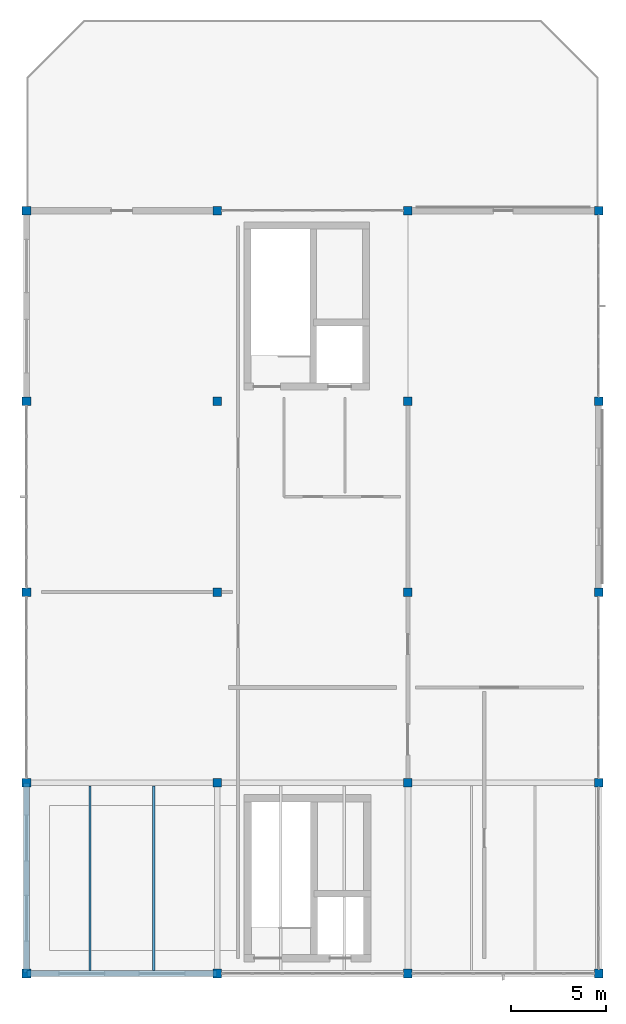
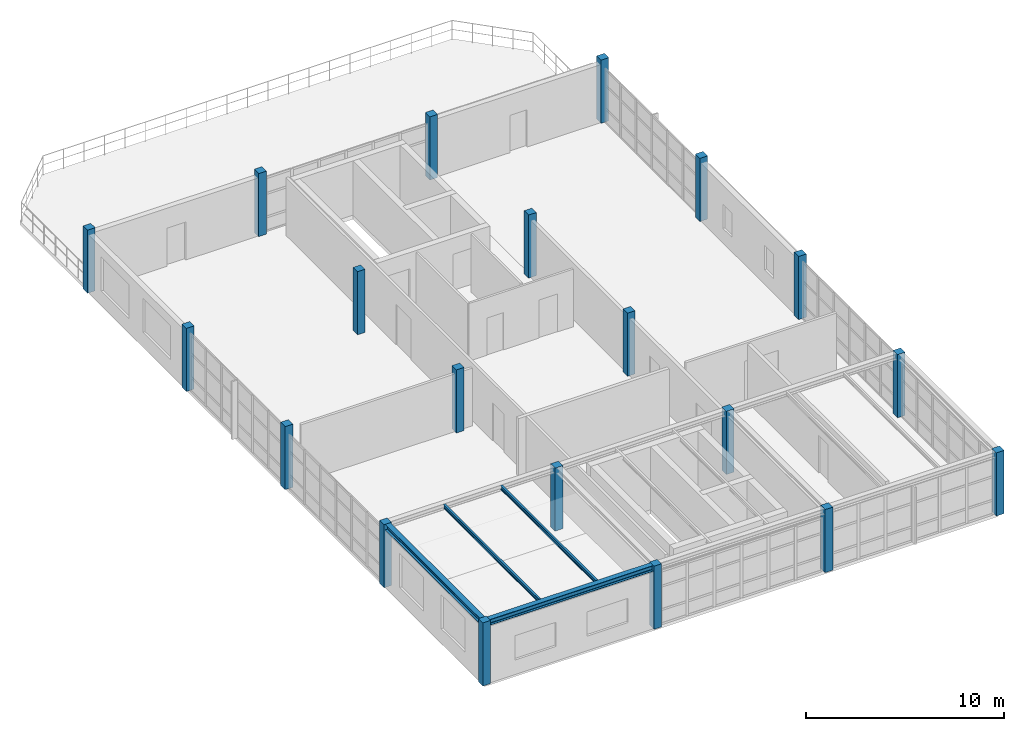
# One storey, part 1 of 11: 20 columns, 4 beams.
"""IFC4 building model written with IfcOpenShell, lengths in metres."""

from ifc_helpers import new_model, si_unit, direction, frame, origin, origin_2d, place, context, subcontext, project, spatial, rectangle, i_section, extrude, material, material_profile, profile_set, type_object, element, save


model = new_model("IFC4")

# Units and contexts
model_context = context("Model", 3, precision=1e-05, world=origin(), true_north=direction((0.0, 1.0)))
body_context = subcontext(model_context, "Body", "Model", "MODEL_VIEW")
ifc_project = project(units=[si_unit("LENGTHUNIT", "METRE"), si_unit("AREAUNIT", "SQUARE_METRE"), si_unit("VOLUMEUNIT", "CUBIC_METRE"), si_unit("PLANEANGLEUNIT", "RADIAN"), si_unit("MASSUNIT", "GRAM", prefix="KILO"), si_unit("THERMODYNAMICTEMPERATUREUNIT", "KELVIN"), si_unit("POWERUNIT", "WATT")], contexts=[model_context])

# Site, building, storey
site_placement = place(None, origin())
site = spatial("IfcSite", under=ifc_project, at=site_placement, CompositionType="ELEMENT")
building_placement = place(site_placement, origin())
building = spatial("IfcBuilding", under=site, at=building_placement, Name="Korenveer Ferry Terminal", CompositionType="ELEMENT")
storey_placement = place(building_placement, frame((0.0, 0.0, 18.300048828125)))
storey = spatial("IfcBuildingStorey", under=building, at=storey_placement, Name="L04", CompositionType="ELEMENT", Elevation=18.300048828125)

# Columns
ifc_material_1 = material(Name="Concrete C45/55", Category="concrete")
ifc_material_profile_1 = material_profile(ifc_material_1, rectangle(XDim=0.449951171875, YDim=0.449951171875, at=origin_2d()), Name="RC 450x450")
ifc_profile_set_1 = profile_set([ifc_material_profile_1], Name="Concrete C45/55")
column_type = type_object("IfcColumnType", Name="STR-COL-RC450", PredefinedType="COLUMN", material=ifc_profile_set_1)
for number, where, z_axis, x_axis, name in (
    (1, (0.0, 20.0, 0.0), (0.0, 0.0, 1.0), (1.0, 0.0, 0.0), "Column COL-L04-X0-Y20"),
    (2, (0.0, 30.0, 0.0), (0.0, 0.0, 1.0), (1.0, 0.0, 0.0), "Column COL-L04-X0-Y30"),
    (3, (0.0, 40.0, 0.0), (0.0, 0.0, 1.0), (1.0, 0.0, 0.0), "Column COL-L04-X0-Y40"),
    (4, (0.0, 50.0, 0.0), (0.0, 0.0, 1.0), (1.0, 0.0, 0.0), "Column COL-L04-X0-Y50"),
    (5, (0.0, 60.0, 0.0), (0.0, 0.0, 1.0), (1.0, 0.0, 0.0), "Column COL-L04-X0-Y60"),
    (6, (10.0, 20.0, 0.0), (0.0, 0.0, 1.0), (1.0, 0.0, 0.0), "Column COL-L04-X10-Y20"),
    (7, (10.0, 30.0, 0.0), (0.0, 0.0, 1.0), (1.0, 0.0, 0.0), "Column COL-L04-X10-Y30"),
    (8, (10.0, 40.0, 0.0), (0.0, 0.0, 1.0), (1.0, 0.0, 0.0), "Column COL-L04-X10-Y40"),
    (9, (10.0, 50.0, 0.0), (0.0, 0.0, 1.0), (1.0, 0.0, 0.0), "Column COL-L04-X10-Y50"),
    (10, (10.0, 60.0, 0.0), (0.0, 0.0, 1.0), (1.0, 0.0, 0.0), "Column COL-L04-X10-Y60"),
    (11, (20.0, 20.0, 0.0), (0.0, 0.0, 1.0), (1.0, 0.0, 0.0), "Column COL-L04-X20-Y20"),
    (12, (20.0, 30.0, 0.0), (0.0, 0.0, 1.0), (1.0, 0.0, 0.0), "Column COL-L04-X20-Y30"),
    (13, (20.0, 40.0, 0.0), (0.0, 0.0, 1.0), (1.0, 0.0, 0.0), "Column COL-L04-X20-Y40"),
    (14, (20.0, 50.0, 0.0), (0.0, 0.0, 1.0), (1.0, 0.0, 0.0), "Column COL-L04-X20-Y50"),
    (15, (20.0, 60.0, 0.0), (0.0, 0.0, 1.0), (1.0, 0.0, 0.0), "Column COL-L04-X20-Y60"),
    (16, (30.0, 20.0, 0.0), (0.0, 0.0, 1.0), (1.0, 0.0, 0.0), "Column COL-L04-X30-Y20"),
    (17, (30.0, 30.0, 0.0), (0.0, 0.0, 1.0), (1.0, 0.0, 0.0), "Column COL-L04-X30-Y30"),
    (18, (30.0, 40.0, 0.0), (0.0, 0.0, 1.0), (1.0, 0.0, 0.0), "Column COL-L04-X30-Y40"),
    (19, (30.0, 50.0, 0.0), (0.0, 0.0, 1.0), (1.0, 0.0, 0.0), "Column COL-L04-X30-Y50"),
    (20, (30.0, 60.0, 0.0), (0.0, 0.0, 1.0), (1.0, 0.0, 0.0), "Column COL-L04-X30-Y60"),
):
    element("IfcColumn", number, at=place(storey_placement, frame(where, z_axis=z_axis, x_axis=x_axis)), inside=storey, type_object=column_type, Name=name, PredefinedType="COLUMN", context=body_context, shape_type="SweptSolid", body=[
        extrude(rectangle(XDim=0.449951171875, YDim=0.449951171875, at=origin_2d()), origin(), (0.0, 0.0, 1.0), 3.89990234375),
    ])

# Beams
ifc_material_2 = material(Name="Steel S355", Category="steel")
ifc_material_profile_2 = material_profile(ifc_material_2, i_section(OverallWidth=0.300048828125, OverallDepth=0.360107421875, WebThickness=0.012451171875, FlangeThickness=0.0224609375, FilletRadius=0.027099609375, at=origin_2d()), Name="HEB 360")
ifc_profile_set_2 = profile_set([ifc_material_profile_2], Name="Steel S355")
beam_type_1 = type_object("IfcBeamType", Name="STR-BM-HEB360", PredefinedType="BEAM", material=ifc_profile_set_2)
for number, where, z_axis, x_axis, name in (
    (21, (0.02001953125, 20.0, 3.719970703125), (1.0, 0.0, 0.0), (0.0, 1.0, 0.0), "Head-house X beam 0 20"),
    (22, (0.0, 20.02001953125, 3.719970703125), (0.0, 1.0, 0.0), (-1.0, 0.0, 0.0), "Head-house Y beam 0"),
):
    element("IfcBeam", number, at=place(storey_placement, frame(where, z_axis=z_axis, x_axis=x_axis)), inside=storey, type_object=beam_type_1, Name=name, PredefinedType="BEAM", context=body_context, shape_type="SweptSolid", body=[
        extrude(i_section(OverallWidth=0.300048828125, OverallDepth=0.360107421875, WebThickness=0.012451171875, FlangeThickness=0.0224609375, FilletRadius=0.027099609375, at=origin_2d()), origin(), (0.0, 0.0, 1.0), 9.9599609375),
    ])
ifc_material_profile_3 = material_profile(ifc_material_2, i_section(OverallWidth=0.1201171875, OverallDepth=0.239990234375, WebThickness=0.006103515625, FlangeThickness=0.009765625, FilletRadius=0.014892578125, at=origin_2d()), Name="IPE 240")
ifc_profile_set_3 = profile_set([ifc_material_profile_3], Name="Steel S355")
beam_type_2 = type_object("IfcBeamType", Name="STR-JST-IPE240", PredefinedType="JOIST", material=ifc_profile_set_3)
for number, where, z_axis, x_axis, name in (
    (23, (3.333251953125, 20.159912109375, 3.780029296875), (0.0, 1.0, 0.0), (-1.0, 0.0, 0.0), "Head-house roof joist 3.3"),
    (24, (6.666748046875, 20.159912109375, 3.780029296875), (0.0, 1.0, 0.0), (-1.0, 0.0, 0.0), "Head-house roof joist 6.7"),
):
    element("IfcBeam", number, at=place(storey_placement, frame(where, z_axis=z_axis, x_axis=x_axis)), inside=storey, type_object=beam_type_2, Name=name, PredefinedType="JOIST", context=body_context, shape_type="SweptSolid", body=[
        extrude(i_section(OverallWidth=0.1201171875, OverallDepth=0.239990234375, WebThickness=0.006103515625, FlangeThickness=0.009765625, FilletRadius=0.014892578125, at=origin_2d()), origin(), (0.0, 0.0, 1.0), 9.68017578125),
    ])

save(model, "model.ifc")
